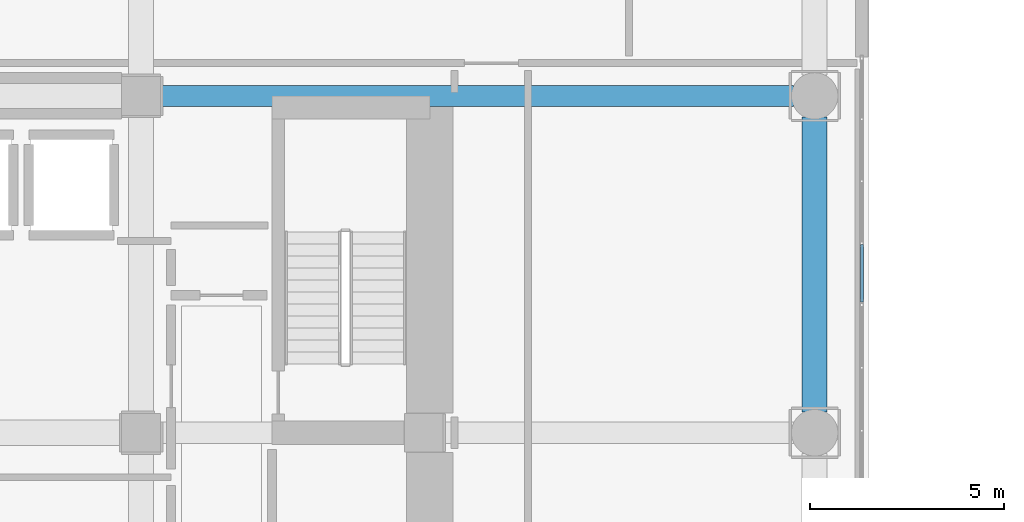
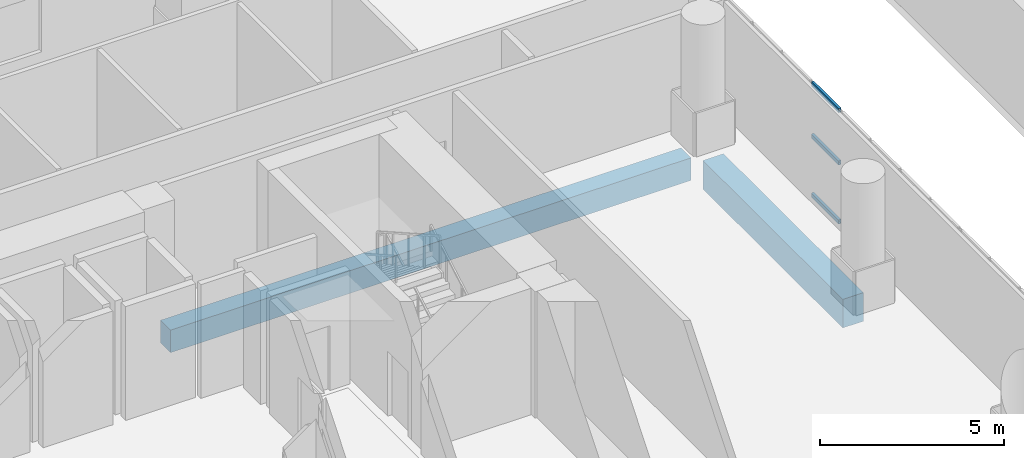
# One storey, part 10 of 22: 3 members, 2 beams, 1 element without a shape of its own.
"""IFC4 building model written with IfcOpenShell, lengths in metres."""

from ifc_helpers import new_model, si_unit, direction, frame, origin, origin_2d, place, context, subcontext, project, spatial, rectangle, hollow_rectangle, extrude, material, layer, layer_set, material_profile, profile_set, type_object, element, aggregate, save


model = new_model("IFC4")

# Units and contexts
model_context = context("Model", 3, precision=1e-05, world=origin(), true_north=direction((0.0, 1.0)))
body_context = subcontext(model_context, "Body", "Model", "MODEL_VIEW")
ifc_project = project(units=[si_unit("LENGTHUNIT", "METRE"), si_unit("AREAUNIT", "SQUARE_METRE"), si_unit("VOLUMEUNIT", "CUBIC_METRE"), si_unit("PLANEANGLEUNIT", "RADIAN"), si_unit("MASSUNIT", "GRAM", prefix="KILO")], contexts=[model_context])

# Site, building, storey
site_placement = place(None, origin())
site = spatial("IfcSite", under=ifc_project, at=site_placement, CompositionType="ELEMENT")
building_placement = place(site_placement, origin())
building = spatial("IfcBuilding", under=site, at=building_placement, Name="Solanera Arch Residences", CompositionType="ELEMENT")
storey_placement = place(building_placement, frame((0.0, 0.0, 13.60009765625)))
storey = spatial("IfcBuildingStorey", under=building, at=storey_placement, Name="L03", CompositionType="ELEMENT", Elevation=13.60009765625)

# Curtain wall, members
ifc_material_1 = material(Name="Anodised Aluminium Alloy 6063-T6", Category="aluminium")
ifc_layer = layer(ifc_material_1, 0.179931640625)
ifc_layer_set = layer_set([ifc_layer], Name="Anodised Aluminium Alloy 6063-T6")
curtain_wall_type = type_object("IfcCurtainWallType", Name="CW-4 Podium Conservatory Curtain Wall", PredefinedType="USERDEFINED", material=ifc_layer_set)
curtain_wall_placement = place(storey_placement, origin())
curtain_wall = element("IfcCurtainWall", 1, at=curtain_wall_placement, inside=storey, type_object=curtain_wall_type, Name="L03 Podium Conservatory Curtain Wall 1", ObjectType="CURTAIN_WALL", PredefinedType="USERDEFINED")
ifc_material_2 = material(Name="Anodised Aluminium Alloy 6063-T6", Category="aluminium")
ifc_material_profile_1 = material_profile(ifc_material_2, hollow_rectangle(XDim=0.080078125, YDim=0.139892578125, WallThickness=0.00390625, at=origin_2d()))
ifc_profile_set_1 = profile_set([ifc_material_profile_1], Name="Anodised Aluminium Alloy 6063-T6")
member_type = type_object("IfcMemberType", Name="Curtain Wall Transom ALU-TRN-80X140", PredefinedType="USERDEFINED", material=ifc_profile_set_1)
member_1_placement = place(storey_placement, frame((47.820068359375, 35.56005859375, 0.039794921875), z_axis=(0.0, -1.0, 0.0), x_axis=(1.0, 0.0, 0.0)))
member_1 = element("IfcMember", 2, at=member_1_placement, type_object=member_type, Name="CW-4 transom 4.1", ObjectType="TRANSOM", PredefinedType="USERDEFINED", context=body_context, shape_type="SweptSolid", body=[
    extrude(hollow_rectangle(XDim=0.080078125, YDim=0.139892578125, WallThickness=0.00390625, at=origin_2d()), origin(), (0.0, 0.0, 1.0), 1.47998046875),
])
member_2_placement = place(storey_placement, frame((47.820068359375, 35.56005859375, 2.0), z_axis=(0.0, -1.0, 0.0), x_axis=(1.0, 0.0, 0.0)))
member_2 = element("IfcMember", 3, at=member_2_placement, type_object=member_type, Name="CW-4 transom 4.2", ObjectType="TRANSOM", PredefinedType="USERDEFINED", context=body_context, shape_type="SweptSolid", body=[
    extrude(hollow_rectangle(XDim=0.080078125, YDim=0.139892578125, WallThickness=0.00390625, at=origin_2d()), origin(), (0.0, 0.0, 1.0), 1.47998046875),
])
member_3_placement = place(storey_placement, frame((47.820068359375, 35.56005859375, 3.739990234375), z_axis=(0.0, -1.0, 0.0), x_axis=(1.0, 0.0, 0.0)))
member_3 = element("IfcMember", 4, at=member_3_placement, type_object=member_type, Name="CW-4 transom 4.3", ObjectType="TRANSOM", PredefinedType="USERDEFINED", context=body_context, shape_type="SweptSolid", body=[
    extrude(hollow_rectangle(XDim=0.080078125, YDim=0.139892578125, WallThickness=0.00390625, at=origin_2d()), origin(), (0.0, 0.0, 1.0), 1.47998046875),
])
aggregate(curtain_wall, [member_1, member_2, member_3])

# Beams
ifc_material_3 = material(Name="Concrete C40/50 (f'c = 45 MPa)", Category="concrete")
ifc_material_profile_2 = material_profile(ifc_material_3, rectangle(XDim=0.550048828125, YDim=0.75, at=origin_2d()))
ifc_profile_set_2 = profile_set([ifc_material_profile_2], Name="Concrete C40/50 (f'c = 45 MPa)")
beam_type_1 = type_object("IfcBeamType", Name="Primary Beam RC-BM-550X750", PredefinedType="BEAM", material=ifc_profile_set_2)
beam_1_placement = place(storey_placement, frame((29.7041015625, 39.39990234375, -0.655029296875), z_axis=(1.0, 0.0, 0.0), x_axis=(0.0, 1.0, 0.0)))
element("IfcBeam", 5, at=beam_1_placement, inside=storey, type_object=beam_type_1, Name="BM-L03-POD-RE-39", PredefinedType="BEAM", context=body_context, shape_type="SweptSolid", body=[
    extrude(rectangle(XDim=0.550048828125, YDim=0.75, at=origin_2d()), origin(), (0.0, 0.0, 1.0), 16.35595703125),
])
ifc_material_4 = material(Name="Concrete C40/50 (f'c = 45 MPa)", Category="concrete")
ifc_material_profile_3 = material_profile(ifc_material_4, rectangle(XDim=0.64990234375, YDim=0.949951171875, at=origin_2d()))
ifc_profile_set_3 = profile_set([ifc_material_profile_3], Name="Concrete C40/50 (f'c = 45 MPa)")
beam_type_2 = type_object("IfcBeamType", Name="Primary Beam RC-BM-650X950", PredefinedType="BEAM", material=ifc_profile_set_3)
beam_2_placement = place(storey_placement, frame((46.60009765625, 31.239990234375, -0.755126953125), z_axis=(0.0, 1.0, 0.0), x_axis=(-1.0, 0.0, 0.0)))
element("IfcBeam", 6, at=beam_2_placement, inside=storey, type_object=beam_type_2, Name="BM-L03-POD-E3", PredefinedType="BEAM", context=body_context, shape_type="SweptSolid", body=[
    extrude(rectangle(XDim=0.64990234375, YDim=0.949951171875, at=origin_2d()), origin(), (0.0, 0.0, 1.0), 7.6201171875),
])

save(model, "model.ifc")
